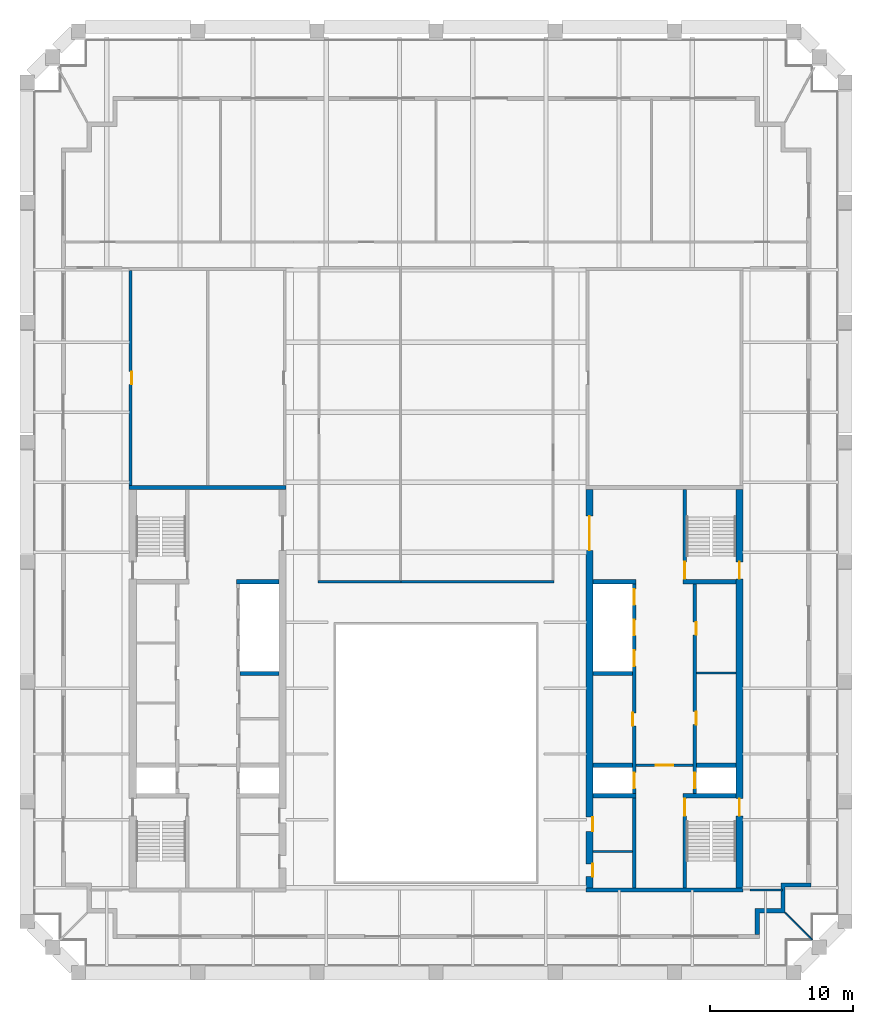
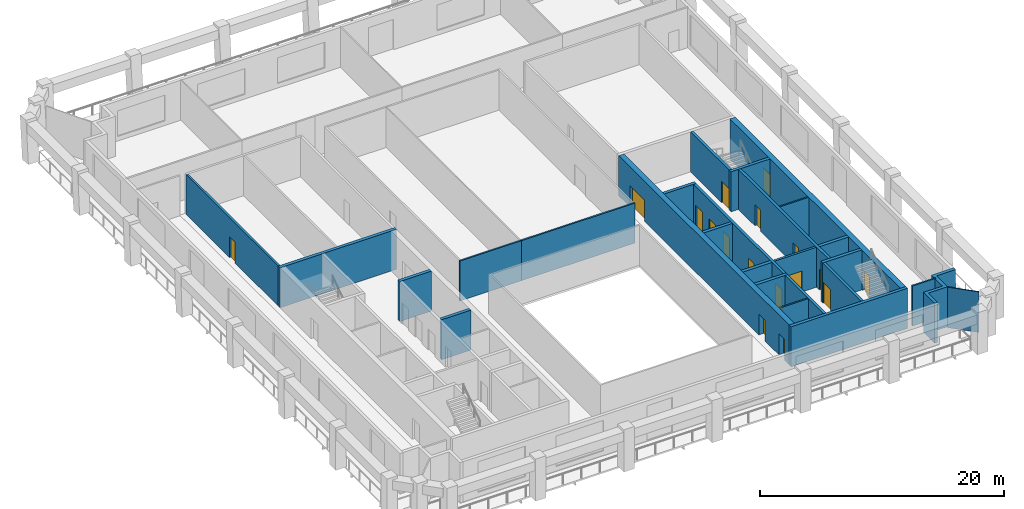
# One storey, part 4 of 8: 26 walls, 17 doors, 17 openings.
"""IFC4 building model written with IfcOpenShell, lengths in metres."""

from ifc_helpers import new_model, si_unit, direction, frame, frame_2d, origin, place, context, subcontext, project, spatial, polyline, rectangle, outline, extrude, material, layer, layer_set, type_object, element, fill, save


model = new_model("IFC4")

# Units and contexts
model_context = context("Model", 3, precision=1e-05, world=origin(), true_north=direction((0.0, 1.0)))
body_context = subcontext(model_context, "Body", "Model", "MODEL_VIEW")
ifc_project = project(units=[si_unit("LENGTHUNIT", "METRE"), si_unit("AREAUNIT", "SQUARE_METRE"), si_unit("VOLUMEUNIT", "CUBIC_METRE"), si_unit("PLANEANGLEUNIT", "RADIAN"), si_unit("MASSUNIT", "GRAM", prefix="KILO")], contexts=[model_context])

# Site, building, storey
site_placement = place(None, origin())
site = spatial("IfcSite", under=ifc_project, at=site_placement, CompositionType="ELEMENT")
building_placement = place(site_placement, origin())
building = spatial("IfcBuilding", under=site, at=building_placement, Name="Ogive Exchange Tower", CompositionType="ELEMENT")
storey_placement = place(building_placement, frame((0.0, 0.0, 325.800048828125)))
storey = spatial("IfcBuildingStorey", under=building, at=storey_placement, Name="L71", CompositionType="ELEMENT", Elevation=325.800048828125)

# Walls
ifc_material_1 = material(Name="Gypsum board partition")
ifc_layer_1 = layer(ifc_material_1, 0.14990234375)
ifc_layer_set_1 = layer_set([ifc_layer_1], Name="Core room partition 150 gypsum")
wall_type_1 = type_object("IfcWallType", Name="Core room partition 150 gypsum", PredefinedType="PARTITIONING", material=ifc_layer_set_1)
for number, where, z_axis, x_axis, name in (
    (1, (18.25, 12.60009765625, 0.0), (0.0, 0.0, 1.0), (1.0, 0.0, 0.0), "E row A bay partition 1-1"),
    (2, (11.0, 0.10009765625, 0.0), (0.0, 0.0, 1.0), (1.0, 0.0, 0.0), "E south room partition"),
):
    element("IfcWall", number, at=place(storey_placement, frame(where, z_axis=z_axis, x_axis=x_axis)), inside=storey, type_object=wall_type_1, Name=name, PredefinedType="PARTITIONING", context=body_context, shape_type="SweptSolid", body=[
        extrude(rectangle(XDim=2.75, YDim=0.14990234375, at=frame_2d((1.375, 0.0))), origin(), (0.0, 0.0, 1.0), 4.0),
    ])
ifc_material_2 = material(Name="Fire partition EI 60 150")
ifc_layer_2 = layer(ifc_material_2, 0.14990234375)
ifc_layer_set_2 = layer_set([ifc_layer_2], Name="Fire partition EI 60 150")
wall_type_2 = type_object("IfcWallType", Name="Fire partition EI 60 150", PredefinedType="PARTITIONING", material=ifc_layer_set_2)
wall_1_placement = place(storey_placement, frame((-8.27490234375, 19.0, 0.0), z_axis=(0.0, 0.0, 1.0), x_axis=(1.0, 0.0, 0.0)))
element("IfcWall", 3, at=wall_1_placement, inside=storey, type_object=wall_type_2, Name="L71-PWL-007", PredefinedType="PARTITIONING", context=body_context, shape_type="SweptSolid", body=[
    extrude(rectangle(XDim=5.824951171875, YDim=0.14990234375, at=frame_2d((2.91259765625, 0.0))), origin(), (0.0, 0.0, 1.0), 4.0),
])
wall_2_placement = place(storey_placement, frame((-2.5, 19.0, 0.0), z_axis=(0.0, 0.0, 1.0), x_axis=(1.0, 0.0, 0.0)))
element("IfcWall", 4, at=wall_2_placement, inside=storey, type_object=wall_type_2, Name="L71-PWL-011", PredefinedType="PARTITIONING", context=body_context, shape_type="SweptSolid", body=[
    extrude(rectangle(XDim=10.77490234375, YDim=0.14990234375, at=frame_2d((5.387451171875, 0.0))), origin(), (0.0, 0.0, 1.0), 4.0),
])
wall_3_placement = place(storey_placement, frame((22.0, -2.60009765625, 0.0), z_axis=(0.0, 0.0, 1.0), x_axis=(1.0, 0.0, 0.0)))
element("IfcWall", 5, at=wall_3_placement, inside=storey, type_object=wall_type_2, Name="L71-PWL-019", PredefinedType="PARTITIONING", context=body_context, shape_type="SweptSolid", body=[
    extrude(rectangle(XDim=2.25, YDim=0.14990234375, at=frame_2d((1.125, 0.0))), origin(), (0.0, 0.0, 1.0), 4.0),
])
ifc_material_3 = material(Name="Precast concrete C40/50", Category="concrete")
ifc_layer_3 = layer(ifc_material_3, 0.300048828125)
ifc_layer_set_3 = layer_set([ifc_layer_3], Name="Limestone-faced wall 300")
wall_type_3 = type_object("IfcWallType", Name="Limestone-faced wall 300", PredefinedType="STANDARD", material=ifc_layer_set_3)
wall_4_placement = place(storey_placement, origin())
element("IfcWall", 6, at=wall_4_placement, inside=storey, type_object=wall_type_3, Name="External corner wall C1", PredefinedType="STANDARD", context=body_context, shape_type="SweptSolid", body=[
    extrude(outline(polyline([(24.14990234375, -3.89990234375), (24.14990234375, -2.10009765625), (26.25, -2.10009765625), (26.25, -2.39990234375), (24.449951171875, -2.39990234375), (24.449951171875, -4.199951171875), (22.64990234375, -4.199951171875), (22.64990234375, -5.699951171875), (22.35009765625, -5.699951171875), (22.35009765625, -3.89990234375), (24.14990234375, -3.89990234375)])), origin(), (0.0, 0.0, 1.0), 4.0),
])
ifc_material_4 = material(Name="Laminated safety glass in steel frame", Category="steel")
ifc_layer_4 = layer(ifc_material_4, 0.10009765625)
ifc_layer_set_4 = layer_set([ifc_layer_4], Name="Loggia end screen 100")
wall_type_4 = type_object("IfcWallType", Name="Loggia end screen 100", PredefinedType="STANDARD", material=ifc_layer_set_4)
wall_5_placement = place(storey_placement, frame((24.449951171875, -4.199951171875, -0.050048828125), z_axis=(0.0, 0.0, 1.0), x_axis=(0.707106781187, -0.707106781187, 0.0)))
element("IfcWall", 7, at=wall_5_placement, inside=storey, type_object=wall_type_4, Name="Loggia end screen C1", PredefinedType="STANDARD", context=body_context, shape_type="SweptSolid", body=[
    extrude(rectangle(XDim=2.667236328125, YDim=0.10009765625, at=frame_2d((1.33349609375, 0.0))), origin(), (0.0, 0.0, 1.0), 4.050048828125),
])

# Wall, opening, door
ifc_material_5 = material(Name="Concrete C70/85", Category="concrete")
ifc_layer_5 = layer(ifc_material_5, 0.199951171875)
ifc_layer_set_5 = layer_set([ifc_layer_5], Name="RC core wall 200 C70/85")
wall_type_5 = type_object("IfcWallType", Name="RC core wall 200 C70/85", PredefinedType="SHEAR", material=ifc_layer_set_5)
wall_6_placement = place(storey_placement, frame((-21.39990234375, 25.75, 0.0), z_axis=(0.0, 0.0, 1.0), x_axis=(0.0, 1.0, 0.0)))
wall_6 = element("IfcWall", 8, at=wall_6_placement, inside=storey, type_object=wall_type_5, Name="W annex N outer wall", PredefinedType="SHEAR", context=body_context, shape_type="SweptSolid", body=[
    extrude(rectangle(XDim=15.050048828125, YDim=0.199951171875, at=frame_2d((7.52490234375, 0.0))), origin(), (0.0, 0.0, 1.0), 4.0),
])
opening_1_placement = place(wall_6_placement, frame((7.074951171875, 0.0, 0.0)))
opening_1 = element("IfcOpeningElement", 9, at=opening_1_placement, cuts=wall_6, Name="Opening L71-C19", PredefinedType="OPENING", context=body_context, shape_type="SweptSolid", body=[
    extrude(rectangle(XDim=0.89990234375, YDim=2.10009765625, at=frame_2d((0.449951171875, 1.050048828125))), frame((0.0, 0.10986328125, 0.0), z_axis=(0.0, -1.0, 0.0), x_axis=(1.0, 0.0, 0.0)), (0.0, 0.0, 1.0), 0.219970703125),
])
ifc_material_6 = material(Name="Steel fire door", Category="steel")
door_type_1 = type_object("IfcDoorType", Name="Riser door FD60 900 x 2100", OperationType="NOTDEFINED", PredefinedType="DOOR", material=ifc_material_6)
door_1_placement = place(opening_1_placement, origin())
door_1 = element("IfcDoor", 10, at=door_1_placement, inside=storey, type_object=door_type_1, Name="Riser door", ObjectType="CD2", OperationType="SINGLE_SWING_RIGHT", OverallHeight=2.10009765625, OverallWidth=0.89990234375, PredefinedType="DOOR", context=body_context, shape_type="SweptSolid", body=[
    extrude(rectangle(XDim=0.89990234375, YDim=2.10009765625, at=frame_2d((0.449951171875, 1.050048828125))), frame((0.0, -0.0498046875, 0.0), z_axis=(0.0, -1.0, 0.0), x_axis=(1.0, 0.0, 0.0)), (0.0, 0.0, 1.0), 0.050048828125),
])
fill(opening_1, door_1)

wall_7_placement = place(storey_placement, frame((14.0, 6.142822265625, 0.0), z_axis=(0.0, 0.0, 1.0), x_axis=(1.0, 0.0, 0.0)))
wall_7 = element("IfcWall", 11, at=wall_7_placement, inside=storey, type_object=wall_type_5, Name="E firefighting lobby wall", PredefinedType="SHEAR", context=body_context, shape_type="SweptSolid", body=[
    extrude(rectangle(XDim=4.0, YDim=0.199951171875, at=frame_2d((2.0, 0.0))), origin(), (0.0, 0.0, 1.0), 4.0),
])
opening_2_placement = place(wall_7_placement, frame((1.39990234375, 0.0, 0.0)))
opening_2 = element("IfcOpeningElement", 12, at=opening_2_placement, cuts=wall_7, Name="Opening L71-C29", PredefinedType="OPENING", context=body_context, shape_type="SweptSolid", body=[
    extrude(rectangle(XDim=1.199951171875, YDim=2.10009765625, at=frame_2d((0.60009765625, 1.050048828125))), frame((0.0, 0.10986328125, 0.0), z_axis=(0.0, -1.0, 0.0), x_axis=(1.0, 0.0, 0.0)), (0.0, 0.0, 1.0), 0.219970703125),
])
door_type_2 = type_object("IfcDoorType", Name="Firefighting lobby door FD60 1200 x 2100", OperationType="NOTDEFINED", PredefinedType="DOOR", material=ifc_material_6)
door_2_placement = place(opening_2_placement, frame((1.199951171875, 0.0, 0.0), z_axis=(0.0, 0.0, 1.0), x_axis=(-1.0, 0.0, 0.0)))
door_2 = element("IfcDoor", 13, at=door_2_placement, inside=storey, type_object=door_type_2, Name="Firefighting lobby door", ObjectType="CD3", OperationType="SINGLE_SWING_RIGHT", OverallHeight=2.10009765625, OverallWidth=1.199951171875, PredefinedType="DOOR", context=body_context, shape_type="SweptSolid", body=[
    extrude(rectangle(XDim=1.199951171875, YDim=2.10009765625, at=frame_2d((0.60009765625, 1.050048828125))), frame((0.0, 0.02490234375, 0.0), z_axis=(0.0, -1.0, 0.0), x_axis=(1.0, 0.0, 0.0)), (0.0, 0.0, 1.0), 0.050048828125),
])
fill(opening_2, door_2)

ifc_layer_6 = layer(ifc_material_5, 0.25)
ifc_layer_set_6 = layer_set([ifc_layer_6], Name="RC core wall 250 C70/85")
wall_type_6 = type_object("IfcWallType", Name="RC core wall 250 C70/85", PredefinedType="SHEAR", material=ifc_layer_set_6)
wall_8_placement = place(storey_placement, frame((17.425048828125, -2.449951171875, 0.0), z_axis=(0.0, 0.0, 1.0), x_axis=(0.0, 1.0, 0.0)))
wall_8 = element("IfcWall", 14, at=wall_8_placement, inside=storey, type_object=wall_type_6, Name="E stair S front wall", PredefinedType="SHEAR", context=body_context, shape_type="SweptSolid", body=[
    extrude(rectangle(XDim=6.300048828125, YDim=0.25, at=frame_2d((3.14990234375, 0.0))), origin(), (0.0, 0.0, 1.0), 4.0),
])
opening_3_placement = place(wall_8_placement, frame((5.050048828125, 0.0, 0.0)))
opening_3 = element("IfcOpeningElement", 15, at=opening_3_placement, cuts=wall_8, Name="Opening L71-C31", PredefinedType="OPENING", context=body_context, shape_type="SweptSolid", body=[
    extrude(rectangle(XDim=1.199951171875, YDim=2.10009765625, at=frame_2d((0.60009765625, 1.050048828125))), frame((0.0, 0.135009765625, 0.0), z_axis=(0.0, -1.0, 0.0), x_axis=(1.0, 0.0, 0.0)), (0.0, 0.0, 1.0), 0.27001953125),
])
door_type_3 = type_object("IfcDoorType", Name="Stair door FD90 1200 x 2100", OperationType="NOTDEFINED", PredefinedType="DOOR", material=ifc_material_6)
door_3_placement = place(opening_3_placement, frame((1.199951171875, 0.0, 0.0), z_axis=(0.0, 0.0, 1.0), x_axis=(-1.0, 0.0, 0.0)))
door_3 = element("IfcDoor", 16, at=door_3_placement, inside=storey, type_object=door_type_3, Name="Stair door", ObjectType="CD5", OperationType="SINGLE_SWING_RIGHT", OverallHeight=2.10009765625, OverallWidth=1.199951171875, PredefinedType="DOOR", context=body_context, shape_type="SweptSolid", body=[
    extrude(rectangle(XDim=1.199951171875, YDim=2.10009765625, at=frame_2d((0.60009765625, 1.050048828125))), frame((0.0, 0.02490234375, 0.0), z_axis=(0.0, -1.0, 0.0), x_axis=(1.0, 0.0, 0.0)), (0.0, 0.0, 1.0), 0.050048828125),
])
fill(opening_3, door_3)

wall_9_placement = place(storey_placement, frame((17.425048828125, 19.14990234375, 0.0), z_axis=(0.0, 0.0, 1.0), x_axis=(0.0, 1.0, 0.0)))
wall_9 = element("IfcWall", 17, at=wall_9_placement, inside=storey, type_object=wall_type_6, Name="E stair N front wall", PredefinedType="SHEAR", context=body_context, shape_type="SweptSolid", body=[
    extrude(rectangle(XDim=6.300048828125, YDim=0.25, at=frame_2d((3.14990234375, 0.0))), origin(), (0.0, 0.0, 1.0), 4.0),
])
opening_4_placement = place(wall_9_placement, frame((0.050048828125, 0.0, 0.0)))
opening_4 = element("IfcOpeningElement", 18, at=opening_4_placement, cuts=wall_9, Name="Opening L71-C33", PredefinedType="OPENING", context=body_context, shape_type="SweptSolid", body=[
    extrude(rectangle(XDim=1.199951171875, YDim=2.10009765625, at=frame_2d((0.60009765625, 1.050048828125))), frame((0.0, 0.135009765625, 0.0), z_axis=(0.0, -1.0, 0.0), x_axis=(1.0, 0.0, 0.0)), (0.0, 0.0, 1.0), 0.27001953125),
])
door_4_placement = place(opening_4_placement, frame((1.199951171875, 0.0, 0.0), z_axis=(0.0, 0.0, 1.0), x_axis=(-1.0, 0.0, 0.0)))
door_4 = element("IfcDoor", 19, at=door_4_placement, inside=storey, type_object=door_type_3, Name="Stair door", ObjectType="CD5", OperationType="SINGLE_SWING_LEFT", OverallHeight=2.10009765625, OverallWidth=1.199951171875, PredefinedType="DOOR", context=body_context, shape_type="SweptSolid", body=[
    extrude(rectangle(XDim=1.199951171875, YDim=2.10009765625, at=frame_2d((0.60009765625, 1.050048828125))), frame((0.0, 0.02490234375, 0.0), z_axis=(0.0, -1.0, 0.0), x_axis=(1.0, 0.0, 0.0)), (0.0, 0.0, 1.0), 0.050048828125),
])
fill(opening_4, door_4)

# Wall, openings, doors
wall_10_placement = place(storey_placement, frame((18.125, 4.14990234375, 0.0), z_axis=(0.0, 0.0, 1.0), x_axis=(0.0, 1.0, 0.0)))
wall_10 = element("IfcWall", 20, at=wall_10_placement, inside=storey, type_object=wall_type_6, Name="E row A front wall", PredefinedType="SHEAR", context=body_context, shape_type="SweptSolid", body=[
    extrude(rectangle(XDim=14.7001953125, YDim=0.25, at=frame_2d((7.35009765625, 0.0))), origin(), (0.0, 0.0, 1.0), 4.0),
])
opening_5_placement = place(wall_10_placement, frame((4.846435546875, 0.0, 0.0)))
opening_5 = element("IfcOpeningElement", 21, at=opening_5_placement, cuts=wall_10, Name="Opening L71-C21", PredefinedType="OPENING", context=body_context, shape_type="SweptSolid", body=[
    extrude(rectangle(XDim=0.89990234375, YDim=2.10009765625, at=frame_2d((0.449951171875, 1.050048828125))), frame((0.0, 0.135009765625, 0.0), z_axis=(0.0, -1.0, 0.0), x_axis=(1.0, 0.0, 0.0)), (0.0, 0.0, 1.0), 0.27001953125),
])
opening_6_placement = place(wall_10_placement, frame((11.125, 0.0, 0.0)))
opening_6 = element("IfcOpeningElement", 22, at=opening_6_placement, cuts=wall_10, Name="Opening L71-C22", PredefinedType="OPENING", context=body_context, shape_type="SweptSolid", body=[
    extrude(rectangle(XDim=0.89990234375, YDim=2.10009765625, at=frame_2d((0.449951171875, 1.050048828125))), frame((0.0, 0.135009765625, 0.0), z_axis=(0.0, -1.0, 0.0), x_axis=(1.0, 0.0, 0.0)), (0.0, 0.0, 1.0), 0.27001953125),
])
opening_7_placement = place(wall_10_placement, frame((0.371337890625, 0.0, 0.0)))
opening_7 = element("IfcOpeningElement", 23, at=opening_7_placement, cuts=wall_10, Name="Opening L71-C23", PredefinedType="OPENING", context=body_context, shape_type="SweptSolid", body=[
    extrude(rectangle(XDim=1.10009765625, YDim=2.10009765625, at=frame_2d((0.550048828125, 1.050048828125))), frame((0.0, 0.135009765625, 0.0), z_axis=(0.0, -1.0, 0.0), x_axis=(1.0, 0.0, 0.0)), (0.0, 0.0, 1.0), 0.27001953125),
])
ifc_material_7 = material(Name="Timber fire door", Category="wood")
door_type_4 = type_object("IfcDoorType", Name="Core room door FD30S 900 x 2100", OperationType="NOTDEFINED", PredefinedType="DOOR", material=ifc_material_7)
door_5_placement = place(opening_6_placement, frame((0.89990234375, -0.2001953125, 0.0), z_axis=(0.0, 0.0, 1.0), x_axis=(-1.0, 0.0, 0.0)))
door_5 = element("IfcDoor", 24, at=door_5_placement, inside=storey, type_object=door_type_4, Name="Core room door", ObjectType="CD6", OperationType="SINGLE_SWING_RIGHT", OverallHeight=2.10009765625, OverallWidth=0.89990234375, PredefinedType="DOOR", context=body_context, shape_type="SweptSolid", body=[
    extrude(rectangle(XDim=0.89990234375, YDim=2.10009765625, at=frame_2d((0.449951171875, 1.050048828125))), frame((0.0, -0.0751953125, 0.0), z_axis=(0.0, -1.0, 0.0), x_axis=(1.0, 0.0, 0.0)), (0.0, 0.0, 1.0), 0.050048828125),
])
fill(opening_6, door_5)
ifc_material_8 = material(Name="Stainless steel", Category="steel")
door_type_5 = type_object("IfcDoorType", Name="Lift landing door FD90 1100 x 2100", OperationType="SLIDING_TO_LEFT", PredefinedType="DOOR", material=ifc_material_8)
door_6_placement = place(opening_7_placement, origin())
door_6 = element("IfcDoor", 25, at=door_6_placement, inside=storey, type_object=door_type_5, Name="Lift landing door FF2", ObjectType="LD", OperationType="SLIDING_TO_LEFT", OverallHeight=2.10009765625, OverallWidth=1.10009765625, PredefinedType="DOOR", context=body_context, shape_type="SweptSolid", body=[
    extrude(rectangle(XDim=1.10009765625, YDim=2.10009765625, at=frame_2d((0.550048828125, 1.050048828125))), frame((0.0, 0.02490234375, 0.0), z_axis=(0.0, -1.0, 0.0), x_axis=(1.0, 0.0, 0.0)), (0.0, 0.0, 1.0), 0.050048828125),
])
fill(opening_7, door_6)
door_7_placement = place(opening_5_placement, frame((0.89990234375, -0.2001953125, 0.0), z_axis=(0.0, 0.0, 1.0), x_axis=(-1.0, 0.0, 0.0)))
door_7 = element("IfcDoor", 26, at=door_7_placement, inside=storey, type_object=door_type_1, Name="Riser door", ObjectType="CD2", OperationType="SINGLE_SWING_RIGHT", OverallHeight=2.10009765625, OverallWidth=0.89990234375, PredefinedType="DOOR", context=body_context, shape_type="SweptSolid", body=[
    extrude(rectangle(XDim=0.89990234375, YDim=2.10009765625, at=frame_2d((0.449951171875, 1.050048828125))), frame((0.0, -0.0751953125, 0.0), z_axis=(0.0, -1.0, 0.0), x_axis=(1.0, 0.0, 0.0)), (0.0, 0.0, 1.0), 0.050048828125),
])
fill(opening_5, door_7)

wall_11_placement = place(storey_placement, frame((13.875, -2.449951171875, 0.0), z_axis=(0.0, 0.0, 1.0), x_axis=(0.0, 1.0, 0.0)))
wall_11 = element("IfcWall", 27, at=wall_11_placement, inside=storey, type_object=wall_type_6, Name="E row B front wall", PredefinedType="SHEAR", context=body_context, shape_type="SweptSolid", body=[
    extrude(rectangle(XDim=21.300048828125, YDim=0.25, at=frame_2d((10.64990234375, 0.0))), origin(), (0.0, 0.0, 1.0), 4.0),
])
opening_8_placement = place(wall_11_placement, frame((11.357177734375, 0.0, 0.0)))
opening_8 = element("IfcOpeningElement", 28, at=opening_8_placement, cuts=wall_11, Name="Opening L71-C24", PredefinedType="OPENING", context=body_context, shape_type="SweptSolid", body=[
    extrude(rectangle(XDim=0.89990234375, YDim=2.10009765625, at=frame_2d((0.449951171875, 1.050048828125))), frame((0.0, 0.135009765625, 0.0), z_axis=(0.0, -1.0, 0.0), x_axis=(1.0, 0.0, 0.0)), (0.0, 0.0, 1.0), 0.27001953125),
])
opening_9_placement = place(wall_11_placement, frame((6.971435546875, 0.0, 0.0)))
opening_9 = element("IfcOpeningElement", 29, at=opening_9_placement, cuts=wall_11, Name="Opening L71-C25", PredefinedType="OPENING", context=body_context, shape_type="SweptSolid", body=[
    extrude(rectangle(XDim=1.10009765625, YDim=2.10009765625, at=frame_2d((0.550048828125, 1.050048828125))), frame((0.0, 0.135009765625, 0.0), z_axis=(0.0, -1.0, 0.0), x_axis=(1.0, 0.0, 0.0)), (0.0, 0.0, 1.0), 0.27001953125),
])
opening_10_placement = place(wall_11_placement, frame((15.54296875, 0.0, 0.0)))
opening_10 = element("IfcOpeningElement", 30, at=opening_10_placement, cuts=wall_11, Name="Opening L71-C26", PredefinedType="OPENING", context=body_context, shape_type="SweptSolid", body=[
    extrude(rectangle(XDim=1.10009765625, YDim=2.10009765625, at=frame_2d((0.550048828125, 1.050048828125))), frame((0.0, 0.135009765625, 0.0), z_axis=(0.0, -1.0, 0.0), x_axis=(1.0, 0.0, 0.0)), (0.0, 0.0, 1.0), 0.27001953125),
])
opening_11_placement = place(wall_11_placement, frame((17.685791015625, 0.0, 0.0)))
opening_11 = element("IfcOpeningElement", 31, at=opening_11_placement, cuts=wall_11, Name="Opening L71-C27", PredefinedType="OPENING", context=body_context, shape_type="SweptSolid", body=[
    extrude(rectangle(XDim=1.10009765625, YDim=2.10009765625, at=frame_2d((0.550048828125, 1.050048828125))), frame((0.0, 0.135009765625, 0.0), z_axis=(0.0, -1.0, 0.0), x_axis=(1.0, 0.0, 0.0)), (0.0, 0.0, 1.0), 0.27001953125),
])
opening_12_placement = place(wall_11_placement, frame((19.82861328125, 0.0, 0.0)))
opening_12 = element("IfcOpeningElement", 32, at=opening_12_placement, cuts=wall_11, Name="Opening L71-C28", PredefinedType="OPENING", context=body_context, shape_type="SweptSolid", body=[
    extrude(rectangle(XDim=1.10009765625, YDim=2.10009765625, at=frame_2d((0.550048828125, 1.050048828125))), frame((0.0, 0.135009765625, 0.0), z_axis=(0.0, -1.0, 0.0), x_axis=(1.0, 0.0, 0.0)), (0.0, 0.0, 1.0), 0.27001953125),
])
door_8_placement = place(opening_8_placement, origin())
door_8 = element("IfcDoor", 33, at=door_8_placement, inside=storey, type_object=door_type_4, Name="Core room door", ObjectType="CD6", OperationType="SINGLE_SWING_RIGHT", OverallHeight=2.10009765625, OverallWidth=0.89990234375, PredefinedType="DOOR", context=body_context, shape_type="SweptSolid", body=[
    extrude(rectangle(XDim=0.89990234375, YDim=2.10009765625, at=frame_2d((0.449951171875, 1.050048828125))), frame((0.0, 0.125, 0.0), z_axis=(0.0, -1.0, 0.0), x_axis=(1.0, 0.0, 0.0)), (0.0, 0.0, 1.0), 0.050048828125),
])
fill(opening_8, door_8)
door_9_placement = place(opening_9_placement, origin())
door_9 = element("IfcDoor", 34, at=door_9_placement, inside=storey, type_object=door_type_5, Name="Lift landing door SV2", ObjectType="LD", OperationType="SLIDING_TO_LEFT", OverallHeight=2.10009765625, OverallWidth=1.10009765625, PredefinedType="DOOR", context=body_context, shape_type="SweptSolid", body=[
    extrude(rectangle(XDim=1.10009765625, YDim=2.10009765625, at=frame_2d((0.550048828125, 1.050048828125))), frame((0.0, 0.02490234375, 0.0), z_axis=(0.0, -1.0, 0.0), x_axis=(1.0, 0.0, 0.0)), (0.0, 0.0, 1.0), 0.050048828125),
])
fill(opening_9, door_9)
door_10_placement = place(opening_10_placement, origin())
door_10 = element("IfcDoor", 35, at=door_10_placement, inside=storey, type_object=door_type_5, Name="Lift landing door E-H1", ObjectType="LD", OperationType="SLIDING_TO_LEFT", OverallHeight=2.10009765625, OverallWidth=1.10009765625, PredefinedType="DOOR", context=body_context, shape_type="SweptSolid", body=[
    extrude(rectangle(XDim=1.10009765625, YDim=2.10009765625, at=frame_2d((0.550048828125, 1.050048828125))), frame((0.0, 0.02490234375, 0.0), z_axis=(0.0, -1.0, 0.0), x_axis=(1.0, 0.0, 0.0)), (0.0, 0.0, 1.0), 0.050048828125),
])
fill(opening_10, door_10)
door_11_placement = place(opening_11_placement, origin())
door_11 = element("IfcDoor", 36, at=door_11_placement, inside=storey, type_object=door_type_5, Name="Lift landing door E-H2", ObjectType="LD", OperationType="SLIDING_TO_LEFT", OverallHeight=2.10009765625, OverallWidth=1.10009765625, PredefinedType="DOOR", context=body_context, shape_type="SweptSolid", body=[
    extrude(rectangle(XDim=1.10009765625, YDim=2.10009765625, at=frame_2d((0.550048828125, 1.050048828125))), frame((0.0, 0.02490234375, 0.0), z_axis=(0.0, -1.0, 0.0), x_axis=(1.0, 0.0, 0.0)), (0.0, 0.0, 1.0), 0.050048828125),
])
fill(opening_11, door_11)
door_12_placement = place(opening_12_placement, origin())
door_12 = element("IfcDoor", 37, at=door_12_placement, inside=storey, type_object=door_type_5, Name="Lift landing door E-H3", ObjectType="LD", OperationType="SLIDING_TO_LEFT", OverallHeight=2.10009765625, OverallWidth=1.10009765625, PredefinedType="DOOR", context=body_context, shape_type="SweptSolid", body=[
    extrude(rectangle(XDim=1.10009765625, YDim=2.10009765625, at=frame_2d((0.550048828125, 1.050048828125))), frame((0.0, 0.02490234375, 0.0), z_axis=(0.0, -1.0, 0.0), x_axis=(1.0, 0.0, 0.0)), (0.0, 0.0, 1.0), 0.050048828125),
])
fill(opening_12, door_12)

# Walls
ifc_layer_7 = layer(ifc_material_5, 0.300048828125)
ifc_layer_set_7 = layer_set([ifc_layer_7], Name="RC core wall 300 C70/85")
wall_type_7 = type_object("IfcWallType", Name="RC core wall 300 C70/85", PredefinedType="SHEAR", material=ifc_layer_set_7)
wall_12_placement = place(storey_placement, frame((-21.5, 25.60009765625, 0.0), z_axis=(0.0, 0.0, 1.0), x_axis=(1.0, 0.0, 0.0)))
element("IfcWall", 38, at=wall_12_placement, inside=storey, type_object=wall_type_7, Name="W north end wall", PredefinedType="SHEAR", context=body_context, shape_type="SweptSolid", body=[
    extrude(rectangle(XDim=11.0, YDim=0.300048828125, at=frame_2d((5.5, 0.0))), origin(), (0.0, 0.0, 1.0), 4.0),
])
wall_13_placement = place(storey_placement, frame((-13.75, 12.5712890625, 0.0), z_axis=(0.0, 0.0, 1.0), x_axis=(1.0, 0.0, 0.0)))
element("IfcWall", 39, at=wall_13_placement, inside=storey, type_object=wall_type_7, Name="W row B divider 4", PredefinedType="SHEAR", context=body_context, shape_type="SweptSolid", body=[
    extrude(rectangle(XDim=2.75, YDim=0.300048828125, at=frame_2d((1.375, 0.0))), origin(), (0.0, 0.0, 1.0), 4.0),
])
wall_14_placement = place(storey_placement, frame((-14.0, 19.0, 0.0), z_axis=(0.0, 0.0, 1.0), x_axis=(1.0, 0.0, 0.0)))
element("IfcWall", 40, at=wall_14_placement, inside=storey, type_object=wall_type_7, Name="W row B divider 7", PredefinedType="SHEAR", context=body_context, shape_type="SweptSolid", body=[
    extrude(rectangle(XDim=3.0, YDim=0.300048828125, at=frame_2d((1.5, 0.0))), origin(), (0.0, 0.0, 1.0), 4.0),
])
wall_15_placement = place(storey_placement, frame((10.5, -2.60009765625, 0.0), z_axis=(0.0, 0.0, 1.0), x_axis=(1.0, 0.0, 0.0)))
element("IfcWall", 41, at=wall_15_placement, inside=storey, type_object=wall_type_7, Name="E south end wall", PredefinedType="SHEAR", context=body_context, shape_type="SweptSolid", body=[
    extrude(rectangle(XDim=11.0, YDim=0.300048828125, at=frame_2d((5.5, 0.0))), origin(), (0.0, 0.0, 1.0), 4.0),
])
for number, where, z_axis, x_axis, name in (
    (42, (17.300048828125, 4.0, 0.0), (0.0, 0.0, 1.0), (1.0, 0.0, 0.0), "E stair S north wall"),
    (43, (17.300048828125, 19.0, 0.0), (0.0, 0.0, 1.0), (1.0, 0.0, 0.0), "E stair N south wall"),
):
    element("IfcWall", number, at=place(storey_placement, frame(where, z_axis=z_axis, x_axis=x_axis)), inside=storey, type_object=wall_type_7, Name=name, PredefinedType="SHEAR", context=body_context, shape_type="SweptSolid", body=[
        extrude(rectangle(XDim=3.699951171875, YDim=0.300048828125, at=frame_2d((1.85009765625, 0.0))), origin(), (0.0, 0.0, 1.0), 4.0),
    ])
wall_16_placement = place(storey_placement, frame((18.25, 6.142822265625, 0.0), z_axis=(0.0, 0.0, 1.0), x_axis=(1.0, 0.0, 0.0)))
element("IfcWall", 44, at=wall_16_placement, inside=storey, type_object=wall_type_7, Name="E row A divider 1", PredefinedType="SHEAR", context=body_context, shape_type="SweptSolid", body=[
    extrude(rectangle(XDim=2.75, YDim=0.300048828125, at=frame_2d((1.375, 0.0))), origin(), (0.0, 0.0, 1.0), 4.0),
])
wall_17_placement = place(storey_placement, frame((11.0, 4.0, 0.0), z_axis=(0.0, 0.0, 1.0), x_axis=(1.0, 0.0, 0.0)))
element("IfcWall", 45, at=wall_17_placement, inside=storey, type_object=wall_type_7, Name="E row B divider 0", PredefinedType="SHEAR", context=body_context, shape_type="SweptSolid", body=[
    extrude(rectangle(XDim=3.0, YDim=0.300048828125, at=frame_2d((1.5, 0.0))), origin(), (0.0, 0.0, 1.0), 4.0),
])
for number, where, z_axis, x_axis, name in (
    (46, (11.0, 6.142822265625, 0.0), (0.0, 0.0, 1.0), (1.0, 0.0, 0.0), "E row B divider 1"),
    (47, (11.0, 12.5712890625, 0.0), (0.0, 0.0, 1.0), (1.0, 0.0, 0.0), "E row B divider 4"),
):
    element("IfcWall", number, at=place(storey_placement, frame(where, z_axis=z_axis, x_axis=x_axis)), inside=storey, type_object=wall_type_7, Name=name, PredefinedType="SHEAR", context=body_context, shape_type="SweptSolid", body=[
        extrude(rectangle(XDim=2.75, YDim=0.300048828125, at=frame_2d((1.375, 0.0))), origin(), (0.0, 0.0, 1.0), 4.0),
    ])
wall_18_placement = place(storey_placement, frame((11.0, 19.0, 0.0), z_axis=(0.0, 0.0, 1.0), x_axis=(1.0, 0.0, 0.0)))
element("IfcWall", 48, at=wall_18_placement, inside=storey, type_object=wall_type_7, Name="E row B divider 7", PredefinedType="SHEAR", context=body_context, shape_type="SweptSolid", body=[
    extrude(rectangle(XDim=3.0, YDim=0.300048828125, at=frame_2d((1.5, 0.0))), origin(), (0.0, 0.0, 1.0), 4.0),
])

# Wall, openings, doors
ifc_layer_8 = layer(ifc_material_5, 0.5)
ifc_layer_set_8 = layer_set([ifc_layer_8], Name="RC core wall 500 C70/85")
wall_type_8 = type_object("IfcWallType", Name="RC core wall 500 C70/85", PredefinedType="SHEAR", material=ifc_layer_set_8)
wall_19_placement = place(storey_placement, frame((21.25, -2.449951171875, 0.0), z_axis=(0.0, 0.0, 1.0), x_axis=(0.0, 1.0, 0.0)))
wall_19 = element("IfcWall", 49, at=wall_19_placement, inside=storey, type_object=wall_type_8, Name="E outer wall", PredefinedType="SHEAR", context=body_context, shape_type="SweptSolid", body=[
    extrude(rectangle(XDim=27.89990234375, YDim=0.5, at=frame_2d((13.949951171875, 0.0))), origin(), (0.0, 0.0, 1.0), 4.0),
])
opening_13_placement = place(wall_19_placement, frame((5.050048828125, 0.0, 0.0)))
opening_13 = element("IfcOpeningElement", 50, at=opening_13_placement, cuts=wall_19, Name="Opening L71-C32", PredefinedType="OPENING", context=body_context, shape_type="SweptSolid", body=[
    extrude(rectangle(XDim=1.199951171875, YDim=2.10009765625, at=frame_2d((0.60009765625, 1.050048828125))), frame((0.0, 0.260009765625, 0.0), z_axis=(0.0, -1.0, 0.0), x_axis=(1.0, 0.0, 0.0)), (0.0, 0.0, 1.0), 0.52001953125),
])
opening_14_placement = place(wall_19_placement, frame((21.64990234375, 0.0, 0.0)))
opening_14 = element("IfcOpeningElement", 51, at=opening_14_placement, cuts=wall_19, Name="Opening L71-C34", PredefinedType="OPENING", context=body_context, shape_type="SweptSolid", body=[
    extrude(rectangle(XDim=1.199951171875, YDim=2.10009765625, at=frame_2d((0.60009765625, 1.050048828125))), frame((0.0, 0.260009765625, 0.0), z_axis=(0.0, -1.0, 0.0), x_axis=(1.0, 0.0, 0.0)), (0.0, 0.0, 1.0), 0.52001953125),
])
door_13_placement = place(opening_13_placement, frame((1.199951171875, 0.0, 0.0), z_axis=(0.0, 0.0, 1.0), x_axis=(-1.0, 0.0, 0.0)))
door_13 = element("IfcDoor", 52, at=door_13_placement, inside=storey, type_object=door_type_3, Name="Stair door", ObjectType="CD5", OperationType="SINGLE_SWING_LEFT", OverallHeight=2.10009765625, OverallWidth=1.199951171875, PredefinedType="DOOR", context=body_context, shape_type="SweptSolid", body=[
    extrude(rectangle(XDim=1.199951171875, YDim=2.10009765625, at=frame_2d((0.60009765625, 1.050048828125))), frame((0.0, 0.02490234375, 0.0), z_axis=(0.0, -1.0, 0.0), x_axis=(1.0, 0.0, 0.0)), (0.0, 0.0, 1.0), 0.050048828125),
])
fill(opening_13, door_13)
door_14_placement = place(opening_14_placement, frame((1.199951171875, 0.0, 0.0), z_axis=(0.0, 0.0, 1.0), x_axis=(-1.0, 0.0, 0.0)))
door_14 = element("IfcDoor", 53, at=door_14_placement, inside=storey, type_object=door_type_3, Name="Stair door", ObjectType="CD5", OperationType="SINGLE_SWING_RIGHT", OverallHeight=2.10009765625, OverallWidth=1.199951171875, PredefinedType="DOOR", context=body_context, shape_type="SweptSolid", body=[
    extrude(rectangle(XDim=1.199951171875, YDim=2.10009765625, at=frame_2d((0.60009765625, 1.050048828125))), frame((0.0, 0.02490234375, 0.0), z_axis=(0.0, -1.0, 0.0), x_axis=(1.0, 0.0, 0.0)), (0.0, 0.0, 1.0), 0.050048828125),
])
fill(opening_14, door_14)

wall_20_placement = place(storey_placement, frame((10.75, -2.449951171875, 0.0), z_axis=(0.0, 0.0, 1.0), x_axis=(0.0, 1.0, 0.0)))
wall_20 = element("IfcWall", 54, at=wall_20_placement, inside=storey, type_object=wall_type_8, Name="E inner wall", PredefinedType="SHEAR", context=body_context, shape_type="SweptSolid", body=[
    extrude(rectangle(XDim=27.89990234375, YDim=0.5, at=frame_2d((13.949951171875, 0.0))), origin(), (0.0, 0.0, 1.0), 4.0),
])
opening_15_placement = place(wall_20_placement, frame((23.64990234375, 0.0, 0.0)))
opening_15 = element("IfcOpeningElement", 55, at=opening_15_placement, cuts=wall_20, Name="Opening L71-C30", PredefinedType="OPENING", context=body_context, shape_type="SweptSolid", body=[
    extrude(rectangle(XDim=2.39990234375, YDim=2.10009765625, at=frame_2d((1.199951171875, 1.050048828125))), frame((0.0, 0.260009765625, 0.0), z_axis=(0.0, -1.0, 0.0), x_axis=(1.0, 0.0, 0.0)), (0.0, 0.0, 1.0), 0.52001953125),
])
opening_16_placement = place(wall_20_placement, frame((0.78759765625, 0.0, 0.0)))
opening_16 = element("IfcOpeningElement", 56, at=opening_16_placement, cuts=wall_20, Name="Opening L71-C35", PredefinedType="OPENING", context=body_context, shape_type="SweptSolid", body=[
    extrude(rectangle(XDim=0.89990234375, YDim=2.10009765625, at=frame_2d((0.449951171875, 1.050048828125))), frame((0.0, 0.260009765625, 0.0), z_axis=(0.0, -1.0, 0.0), x_axis=(1.0, 0.0, 0.0)), (0.0, 0.0, 1.0), 0.52001953125),
])
opening_17_placement = place(wall_20_placement, frame((3.96240234375, 0.0, 0.0)))
opening_17 = element("IfcOpeningElement", 57, at=opening_17_placement, cuts=wall_20, Name="Opening L71-C36", PredefinedType="OPENING", context=body_context, shape_type="SweptSolid", body=[
    extrude(rectangle(XDim=1.0, YDim=2.10009765625, at=frame_2d((0.5, 1.050048828125))), frame((0.0, 0.260009765625, 0.0), z_axis=(0.0, -1.0, 0.0), x_axis=(1.0, 0.0, 0.0)), (0.0, 0.0, 1.0), 0.52001953125),
])
door_type_6 = type_object("IfcDoorType", Name="Accessible WC door FD30S 1000 x 2100", OperationType="NOTDEFINED", PredefinedType="DOOR", material=ifc_material_7)
door_15_placement = place(opening_17_placement, origin())
door_15 = element("IfcDoor", 58, at=door_15_placement, inside=storey, type_object=door_type_6, Name="Accessible WC door", ObjectType="CD7", OperationType="SINGLE_SWING_LEFT", OverallHeight=2.10009765625, OverallWidth=1.0, PredefinedType="DOOR", context=body_context, shape_type="SweptSolid", body=[
    extrude(rectangle(XDim=1.0, YDim=2.10009765625, at=frame_2d((0.5, 1.050048828125))), frame((0.0, -0.2001953125, 0.0), z_axis=(0.0, -1.0, 0.0), x_axis=(1.0, 0.0, 0.0)), (0.0, 0.0, 1.0), 0.050048828125),
])
fill(opening_17, door_15)
door_16_placement = place(opening_16_placement, origin())
door_16 = element("IfcDoor", 59, at=door_16_placement, inside=storey, type_object=door_type_4, Name="Core room door", ObjectType="CD6", OperationType="SINGLE_SWING_LEFT", OverallHeight=2.10009765625, OverallWidth=0.89990234375, PredefinedType="DOOR", context=body_context, shape_type="SweptSolid", body=[
    extrude(rectangle(XDim=0.89990234375, YDim=2.10009765625, at=frame_2d((0.449951171875, 1.050048828125))), frame((0.0, -0.2001953125, 0.0), z_axis=(0.0, -1.0, 0.0), x_axis=(1.0, 0.0, 0.0)), (0.0, 0.0, 1.0), 0.050048828125),
])
fill(opening_16, door_16)
ifc_material_9 = material(Name="Glazed steel fire door", Category="steel")
door_type_7 = type_object("IfcDoorType", Name="Lift lobby double door FD60 2400 x 2100", OperationType="DOUBLE_DOOR_SINGLE_SWING", PredefinedType="DOOR", material=ifc_material_9)
door_17_placement = place(opening_15_placement, origin())
door_17 = element("IfcDoor", 60, at=door_17_placement, inside=storey, type_object=door_type_7, Name="Lift lobby double door", ObjectType="CD4", OperationType="DOUBLE_DOOR_SINGLE_SWING", OverallHeight=2.10009765625, OverallWidth=2.39990234375, PredefinedType="DOOR", context=body_context, shape_type="SweptSolid", body=[
    extrude(rectangle(XDim=2.39990234375, YDim=2.10009765625, at=frame_2d((1.199951171875, 1.050048828125))), frame((0.0, 0.02490234375, 0.0), z_axis=(0.0, -1.0, 0.0), x_axis=(1.0, 0.0, 0.0)), (0.0, 0.0, 1.0), 0.050048828125),
])
fill(opening_15, door_17)

save(model, "model.ifc")
